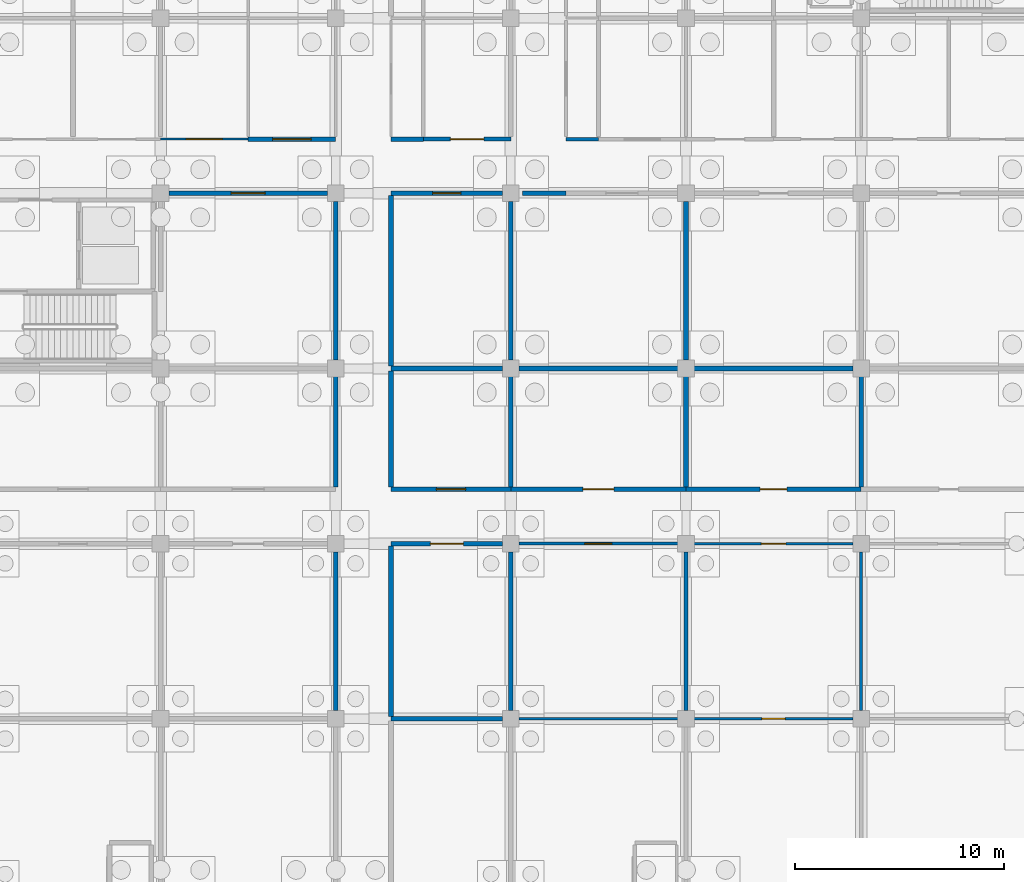
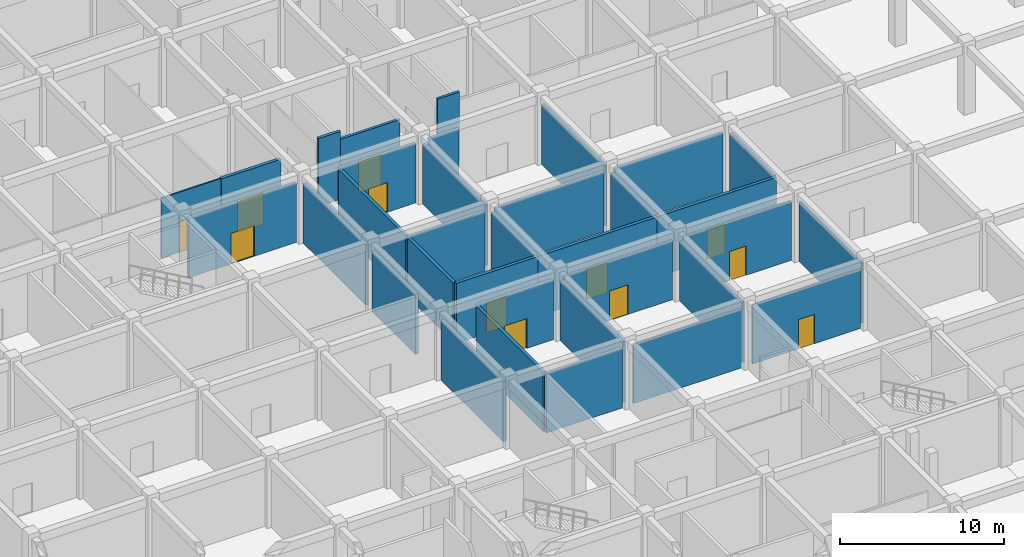
# One storey, part 31 of 65: 34 walls, 12 doors, 12 openings.
"""IFC4 building model written with IfcOpenShell, lengths in metres."""

from ifc_helpers import new_model, si_unit, direction, frame, frame_2d, origin, place, context, subcontext, project, spatial, rectangle, extrude, material, layer, layer_set, type_object, element, fill, save


model = new_model("IFC4")

# Units and contexts
model_context = context("Model", 3, precision=1e-05, world=origin(), true_north=direction((0.0, 1.0)))
body_context = subcontext(model_context, "Body", "Model", "MODEL_VIEW")
ifc_project = project(units=[si_unit("LENGTHUNIT", "METRE"), si_unit("AREAUNIT", "SQUARE_METRE"), si_unit("VOLUMEUNIT", "CUBIC_METRE"), si_unit("PLANEANGLEUNIT", "RADIAN"), si_unit("MASSUNIT", "GRAM", prefix="KILO")], contexts=[model_context])

# Site, building, storey
site_placement = place(None, origin())
site = spatial("IfcSite", under=ifc_project, at=site_placement, CompositionType="ELEMENT")
building_placement = place(site_placement, origin())
building = spatial("IfcBuilding", under=site, at=building_placement, Name="Bramfleet General Hospital", CompositionType="ELEMENT")
storey_placement = place(building_placement, frame((0.0, 0.0, -5.39990234375)))
storey = spatial("IfcBuildingStorey", under=building, at=storey_placement, Name="B1", CompositionType="ELEMENT", Elevation=-5.39990234375)

# Wall
ifc_material_1 = material(Name="Concrete C35/45", Category="concrete")
ifc_layer_1 = layer(ifc_material_1, 0.219970703125, Name="WT-IW-01")
ifc_layer_set_1 = layer_set([ifc_layer_1], Name="Concrete C35/45")
wall_type_1 = type_object("IfcWallType", Name="WT-IW-01", PredefinedType="PARTITIONING", material=ifc_layer_set_1)
wall_1_placement = place(storey_placement, frame((36.25, 33.60009765625, 0.0), z_axis=(0.0, 0.0, 1.0), x_axis=(1.0, 0.0, 0.0)))
element("IfcWall", 1, at=wall_1_placement, inside=storey, type_object=wall_type_1, Name="B1 Interior Partition IW-B1-0117", PredefinedType="PARTITIONING", context=body_context, shape_type="SweptSolid", body=[
    extrude(rectangle(XDim=5.35498046875, YDim=0.219970703125, at=frame_2d((2.677490234375, 0.0))), origin(), (0.0, 0.0, 1.0), 4.419921875),
])

# Wall, opening, door
wall_2_placement = place(storey_placement, frame((36.25, 42.0, 0.0), z_axis=(0.0, 0.0, 1.0), x_axis=(1.0, 0.0, 0.0)))
wall_2 = element("IfcWall", 2, at=wall_2_placement, inside=storey, type_object=wall_type_1, Name="B1 Interior Partition IW-B1-0127", PredefinedType="PARTITIONING", context=body_context, shape_type="SweptSolid", body=[
    extrude(rectangle(XDim=5.35498046875, YDim=0.219970703125, at=frame_2d((2.677490234375, 0.0))), origin(), (0.0, 0.0, 1.0), 4.419921875),
])
opening_1_placement = place(wall_2_placement, frame((1.887451171875, 0.0, 0.0)))
opening_1 = element("IfcOpeningElement", 3, at=opening_1_placement, cuts=wall_2, Name="Opening D0256", PredefinedType="OPENING", context=body_context, shape_type="SweptSolid", body=[
    extrude(rectangle(XDim=1.580078125, YDim=2.219970703125, at=frame_2d((0.7900390625, 1.10986328125))), frame((0.0, 0.119873046875, 0.0), z_axis=(0.0, -1.0, 0.0), x_axis=(1.0, 0.0, 0.0)), (0.0, 0.0, 1.0), 0.239990234375),
])
ifc_material_2 = material(Name="Stainless steel and acoustic timber leaf", Category="steel")
door_type_1 = type_object("IfcDoorType", Name="DR-D-32", OperationType="NOTDEFINED", PredefinedType="DOOR", material=ifc_material_2)
door_1_placement = place(opening_1_placement, origin())
door_1 = element("IfcDoor", 4, at=door_1_placement, inside=storey, type_object=door_type_1, Name="Standby Power Plant and Switchgear B1-0404 Door D0256", OperationType="DOUBLE_SWING_LEFT", OverallHeight=2.219970703125, OverallWidth=1.580078125, PredefinedType="DOOR", context=body_context, shape_type="SweptSolid", body=[
    extrude(rectangle(XDim=1.580078125, YDim=2.219970703125, at=frame_2d((0.7900390625, 1.10986328125))), frame((0.0, 0.02490234375, 0.0), z_axis=(0.0, -1.0, 0.0), x_axis=(1.0, 0.0, 0.0)), (0.0, 0.0, 1.0), 0.050048828125),
])
fill(opening_1, door_1)

wall_3_placement = place(storey_placement, frame((36.25, 44.60009765625, 0.0), z_axis=(0.0, 0.0, 1.0), x_axis=(1.0, 0.0, 0.0)))
wall_3 = element("IfcWall", 5, at=wall_3_placement, inside=storey, type_object=wall_type_1, Name="B1 Interior Partition IW-B1-0137", PredefinedType="PARTITIONING", context=body_context, shape_type="SweptSolid", body=[
    extrude(rectangle(XDim=5.75, YDim=0.219970703125, at=frame_2d((2.875, 0.0))), origin(), (0.0, 0.0, 1.0), 4.469970703125),
])
opening_2_placement = place(wall_3_placement, frame((2.175048828125, 0.0, 0.0)))
opening_2 = element("IfcOpeningElement", 6, at=opening_2_placement, cuts=wall_3, Name="Opening D0257", PredefinedType="OPENING", context=body_context, shape_type="SweptSolid", body=[
    extrude(rectangle(XDim=1.39990234375, YDim=2.199951171875, at=frame_2d((0.699951171875, 1.10009765625))), frame((0.0, 0.119873046875, 0.0), z_axis=(0.0, -1.0, 0.0), x_axis=(1.0, 0.0, 0.0)), (0.0, 0.0, 1.0), 0.239990234375),
])
door_type_2 = type_object("IfcDoorType", Name="DR-D-01", OperationType="NOTDEFINED", PredefinedType="DOOR", material=ifc_material_2)
door_2_placement = place(opening_2_placement, origin())
door_2 = element("IfcDoor", 7, at=door_2_placement, inside=storey, type_object=door_type_2, Name="Central Sterile Supply Room B1-0405 Door D0257", OperationType="SINGLE_SWING_RIGHT", OverallHeight=2.199951171875, OverallWidth=1.39990234375, PredefinedType="DOOR", context=body_context, shape_type="SweptSolid", body=[
    extrude(rectangle(XDim=1.39990234375, YDim=2.199951171875, at=frame_2d((0.699951171875, 1.10009765625))), frame((0.0, 0.02490234375, 0.0), z_axis=(0.0, -1.0, 0.0), x_axis=(1.0, 0.0, 0.0)), (0.0, 0.0, 1.0), 0.050048828125),
])
fill(opening_2, door_2)

wall_4_placement = place(storey_placement, frame((42.0, 44.60009765625, 0.0), z_axis=(0.0, 0.0, 1.0), x_axis=(1.0, 0.0, 0.0)))
wall_4 = element("IfcWall", 8, at=wall_4_placement, inside=storey, type_object=wall_type_1, Name="B1 Interior Partition IW-B1-0138", PredefinedType="PARTITIONING", context=body_context, shape_type="SweptSolid", body=[
    extrude(rectangle(XDim=8.39990234375, YDim=0.219970703125, at=frame_2d((4.199951171875, 0.0))), origin(), (0.0, 0.0, 1.0), 4.469970703125),
])
opening_3_placement = place(wall_4_placement, frame((3.4599609375, 0.0, 0.0)))
opening_3 = element("IfcOpeningElement", 9, at=opening_3_placement, cuts=wall_4, Name="Opening D0272", PredefinedType="OPENING", context=body_context, shape_type="SweptSolid", body=[
    extrude(rectangle(XDim=1.47998046875, YDim=2.219970703125, at=frame_2d((0.739990234375, 1.10986328125))), frame((0.0, 0.119873046875, 0.0), z_axis=(0.0, -1.0, 0.0), x_axis=(1.0, 0.0, 0.0)), (0.0, 0.0, 1.0), 0.239990234375),
])
door_type_3 = type_object("IfcDoorType", Name="DR-D-16", OperationType="NOTDEFINED", PredefinedType="DOOR", material=ifc_material_2)
door_3_placement = place(opening_3_placement, origin())
door_3 = element("IfcDoor", 10, at=door_3_placement, inside=storey, type_object=door_type_3, Name="Central Sterile Supply Room B1-0505 Door D0272", OperationType="SINGLE_SWING_LEFT", OverallHeight=2.219970703125, OverallWidth=1.47998046875, PredefinedType="DOOR", context=body_context, shape_type="SweptSolid", body=[
    extrude(rectangle(XDim=1.47998046875, YDim=2.219970703125, at=frame_2d((0.739990234375, 1.10986328125))), frame((0.0, 0.02490234375, 0.0), z_axis=(0.0, -1.0, 0.0), x_axis=(1.0, 0.0, 0.0)), (0.0, 0.0, 1.0), 0.050048828125),
])
fill(opening_3, door_3)

wall_5_placement = place(storey_placement, frame((50.39990234375, 44.60009765625, 0.0), z_axis=(0.0, 0.0, 1.0), x_axis=(1.0, 0.0, 0.0)))
wall_5 = element("IfcWall", 11, at=wall_5_placement, inside=storey, type_object=wall_type_1, Name="B1 Interior Partition IW-B1-0139", PredefinedType="PARTITIONING", context=body_context, shape_type="SweptSolid", body=[
    extrude(rectangle(XDim=8.400146484375, YDim=0.219970703125, at=frame_2d((4.2001953125, 0.0))), origin(), (0.0, 0.0, 1.0), 4.469970703125),
])
opening_4_placement = place(wall_5_placement, frame((3.56005859375, 0.0, 0.0)))
opening_4 = element("IfcOpeningElement", 12, at=opening_4_placement, cuts=wall_5, Name="Opening D0285", PredefinedType="OPENING", context=body_context, shape_type="SweptSolid", body=[
    extrude(rectangle(XDim=1.280029296875, YDim=2.179931640625, at=frame_2d((0.64013671875, 1.08984375))), frame((0.0, 0.119873046875, 0.0), z_axis=(0.0, -1.0, 0.0), x_axis=(1.0, 0.0, 0.0)), (0.0, 0.0, 1.0), 0.239990234375),
])
door_type_4 = type_object("IfcDoorType", Name="DR-D-29", OperationType="NOTDEFINED", PredefinedType="DOOR", material=ifc_material_2)
door_4_placement = place(opening_4_placement, origin())
door_4 = element("IfcDoor", 13, at=door_4_placement, inside=storey, type_object=door_type_4, Name="Central Sterile Supply Room B1-0605 Door D0285", OperationType="SINGLE_SWING_RIGHT", OverallHeight=2.179931640625, OverallWidth=1.280029296875, PredefinedType="DOOR", context=body_context, shape_type="SweptSolid", body=[
    extrude(rectangle(XDim=1.280029296875, YDim=2.179931640625, at=frame_2d((0.64013671875, 1.08984375))), frame((0.0, 0.02490234375, 0.0), z_axis=(0.0, -1.0, 0.0), x_axis=(1.0, 0.0, 0.0)), (0.0, 0.0, 1.0), 0.050048828125),
])
fill(opening_4, door_4)

# Walls
wall_6_placement = place(storey_placement, frame((36.25, 50.39990234375, 0.0), z_axis=(0.0, 0.0, 1.0), x_axis=(1.0, 0.0, 0.0)))
element("IfcWall", 14, at=wall_6_placement, inside=storey, type_object=wall_type_1, Name="B1 Interior Partition IW-B1-0146", PredefinedType="PARTITIONING", context=body_context, shape_type="SweptSolid", body=[
    extrude(rectangle(XDim=5.35498046875, YDim=0.219970703125, at=frame_2d((2.677490234375, 0.0))), origin(), (0.0, 0.0, 1.0), 4.419921875),
])
wall_7_placement = place(storey_placement, frame((42.39501953125, 50.39990234375, 0.0), z_axis=(0.0, 0.0, 1.0), x_axis=(1.0, 0.0, 0.0)))
element("IfcWall", 15, at=wall_7_placement, inside=storey, type_object=wall_type_1, Name="B1 Interior Partition IW-B1-0147", PredefinedType="PARTITIONING", context=body_context, shape_type="SweptSolid", body=[
    extrude(rectangle(XDim=7.60986328125, YDim=0.219970703125, at=frame_2d((3.804931640625, 0.0))), origin(), (0.0, 0.0, 1.0), 4.419921875),
])
wall_8_placement = place(storey_placement, frame((50.794921875, 50.39990234375, 0.0), z_axis=(0.0, 0.0, 1.0), x_axis=(1.0, 0.0, 0.0)))
element("IfcWall", 16, at=wall_8_placement, inside=storey, type_object=wall_type_1, Name="B1 Interior Partition IW-B1-0148", PredefinedType="PARTITIONING", context=body_context, shape_type="SweptSolid", body=[
    extrude(rectangle(XDim=7.610107421875, YDim=0.219970703125, at=frame_2d((3.80517578125, 0.0))), origin(), (0.0, 0.0, 1.0), 4.419921875),
])

# Wall, opening, door
wall_9_placement = place(storey_placement, frame((25.594970703125, 58.800048828125, 0.0), z_axis=(0.0, 0.0, 1.0), x_axis=(1.0, 0.0, 0.0)))
wall_9 = element("IfcWall", 17, at=wall_9_placement, inside=storey, type_object=wall_type_1, Name="B1 Interior Partition IW-B1-0154", PredefinedType="PARTITIONING", context=body_context, shape_type="SweptSolid", body=[
    extrude(rectangle(XDim=7.610107421875, YDim=0.219970703125, at=frame_2d((3.80517578125, 0.0))), origin(), (0.0, 0.0, 1.0), 4.419921875),
])
opening_5_placement = place(wall_9_placement, frame((2.985107421875, 0.0, 0.0)))
opening_5 = element("IfcOpeningElement", 18, at=opening_5_placement, cuts=wall_9, Name="Opening D0242", PredefinedType="OPENING", context=body_context, shape_type="SweptSolid", body=[
    extrude(rectangle(XDim=1.639892578125, YDim=2.280029296875, at=frame_2d((0.81982421875, 1.14013671875))), frame((0.0, 0.119873046875, 0.0), z_axis=(0.0, -1.0, 0.0), x_axis=(1.0, 0.0, 0.0)), (0.0, 0.0, 1.0), 0.239990234375),
])
door_type_5 = type_object("IfcDoorType", Name="DR-D-18", OperationType="NOTDEFINED", PredefinedType="DOOR", material=ifc_material_2)
door_5_placement = place(opening_5_placement, origin())
door_5 = element("IfcDoor", 19, at=door_5_placement, inside=storey, type_object=door_type_5, Name="Central Sterile Supply Room B1-0306 Door D0242", OperationType="DOUBLE_SWING_LEFT", OverallHeight=2.280029296875, OverallWidth=1.639892578125, PredefinedType="DOOR", context=body_context, shape_type="SweptSolid", body=[
    extrude(rectangle(XDim=1.639892578125, YDim=2.280029296875, at=frame_2d((0.81982421875, 1.14013671875))), frame((0.0, 0.02490234375, 0.0), z_axis=(0.0, -1.0, 0.0), x_axis=(1.0, 0.0, 0.0)), (0.0, 0.0, 1.0), 0.050048828125),
])
fill(opening_5, door_5)

wall_10_placement = place(storey_placement, frame((36.25, 58.800048828125, 0.0), z_axis=(0.0, 0.0, 1.0), x_axis=(1.0, 0.0, 0.0)))
wall_10 = element("IfcWall", 20, at=wall_10_placement, inside=storey, type_object=wall_type_1, Name="B1 Interior Partition IW-B1-0155", PredefinedType="PARTITIONING", context=body_context, shape_type="SweptSolid", body=[
    extrude(rectangle(XDim=5.35498046875, YDim=0.219970703125, at=frame_2d((2.677490234375, 0.0))), origin(), (0.0, 0.0, 1.0), 4.419921875),
])
opening_6_placement = place(wall_10_placement, frame((2.00244140625, 0.0, 0.0)))
opening_6 = element("IfcOpeningElement", 21, at=opening_6_placement, cuts=wall_10, Name="Opening D0258", PredefinedType="OPENING", context=body_context, shape_type="SweptSolid", body=[
    extrude(rectangle(XDim=1.35009765625, YDim=2.199951171875, at=frame_2d((0.675048828125, 1.10009765625))), frame((0.0, 0.119873046875, 0.0), z_axis=(0.0, -1.0, 0.0), x_axis=(1.0, 0.0, 0.0)), (0.0, 0.0, 1.0), 0.239990234375),
])
door_type_6 = type_object("IfcDoorType", Name="DR-D-02", OperationType="NOTDEFINED", PredefinedType="DOOR", material=ifc_material_2)
door_6_placement = place(opening_6_placement, origin())
door_6 = element("IfcDoor", 22, at=door_6_placement, inside=storey, type_object=door_type_6, Name="Central Sterile Supply Room B1-0406 Door D0258", OperationType="SINGLE_SWING_LEFT", OverallHeight=2.199951171875, OverallWidth=1.35009765625, PredefinedType="DOOR", context=body_context, shape_type="SweptSolid", body=[
    extrude(rectangle(XDim=1.35009765625, YDim=2.199951171875, at=frame_2d((0.675048828125, 1.10009765625))), frame((0.0, 0.02490234375, 0.0), z_axis=(0.0, -1.0, 0.0), x_axis=(1.0, 0.0, 0.0)), (0.0, 0.0, 1.0), 0.050048828125),
])
fill(opening_6, door_6)

# Wall
wall_11_placement = place(storey_placement, frame((42.550048828125, 58.800048828125, 0.0), z_axis=(0.0, 0.0, 1.0), x_axis=(1.0, 0.0, 0.0)))
element("IfcWall", 23, at=wall_11_placement, inside=storey, type_object=wall_type_1, Name="B1 Interior Partition IW-B1-0156", PredefinedType="PARTITIONING", context=body_context, shape_type="SweptSolid", body=[
    extrude(rectangle(XDim=2.099853515625, YDim=0.219970703125, at=frame_2d((1.0498046875, 0.0))), origin(), (0.0, 0.0, 1.0), 4.419921875),
])

# Wall, opening, door
wall_12_placement = place(storey_placement, frame((29.39990234375, 61.39990234375, 0.0), z_axis=(0.0, 0.0, 1.0), x_axis=(1.0, 0.0, 0.0)))
wall_12 = element("IfcWall", 24, at=wall_12_placement, inside=storey, type_object=wall_type_1, Name="B1 Interior Partition IW-B1-0169", PredefinedType="PARTITIONING", context=body_context, shape_type="SweptSolid", body=[
    extrude(rectangle(XDim=4.2001953125, YDim=0.219970703125, at=frame_2d((2.10009765625, 0.0))), origin(), (0.0, 0.0, 1.0), 4.469970703125),
])
opening_7_placement = place(wall_12_placement, frame((1.179931640625, 0.0, 0.0)))
opening_7 = element("IfcOpeningElement", 25, at=opening_7_placement, cuts=wall_12, Name="Opening D0244", PredefinedType="OPENING", context=body_context, shape_type="SweptSolid", body=[
    extrude(rectangle(XDim=1.840087890625, YDim=2.280029296875, at=frame_2d((0.919921875, 1.14013671875))), frame((0.0, 0.119873046875, 0.0), z_axis=(0.0, -1.0, 0.0), x_axis=(1.0, 0.0, 0.0)), (0.0, 0.0, 1.0), 0.239990234375),
])
door_type_7 = type_object("IfcDoorType", Name="DR-D-20", OperationType="NOTDEFINED", PredefinedType="DOOR", material=ifc_material_2)
door_7_placement = place(opening_7_placement, origin())
door_7 = element("IfcDoor", 26, at=door_7_placement, inside=storey, type_object=door_type_7, Name="Clinical Engineering Workshop B1-0307 Door D0244", OperationType="DOUBLE_SWING_LEFT", OverallHeight=2.280029296875, OverallWidth=1.840087890625, PredefinedType="DOOR", context=body_context, shape_type="SweptSolid", body=[
    extrude(rectangle(XDim=1.840087890625, YDim=2.280029296875, at=frame_2d((0.919921875, 1.14013671875))), frame((0.0, 0.02490234375, 0.0), z_axis=(0.0, -1.0, 0.0), x_axis=(1.0, 0.0, 0.0)), (0.0, 0.0, 1.0), 0.050048828125),
])
fill(opening_7, door_7)

# Walls
wall_13_placement = place(storey_placement, frame((33.60009765625, 33.9951171875, 0.0), z_axis=(0.0, 0.0, 1.0), x_axis=(0.0, 1.0, 0.0)))
element("IfcWall", 27, at=wall_13_placement, inside=storey, type_object=wall_type_1, Name="B1 Interior Partition IW-B1-0390", PredefinedType="PARTITIONING", context=body_context, shape_type="SweptSolid", body=[
    extrude(rectangle(XDim=7.60986328125, YDim=0.219970703125, at=frame_2d((3.804931640625, 0.0))), origin(), (0.0, 0.0, 1.0), 4.469970703125),
])
wall_14_placement = place(storey_placement, frame((33.60009765625, 44.715087890625, 0.0), z_axis=(0.0, 0.0, 1.0), x_axis=(0.0, 1.0, 0.0)))
element("IfcWall", 28, at=wall_14_placement, inside=storey, type_object=wall_type_1, Name="B1 Interior Partition IW-B1-0391", PredefinedType="PARTITIONING", context=body_context, shape_type="SweptSolid", body=[
    extrude(rectangle(XDim=5.289794921875, YDim=0.219970703125, at=frame_2d((2.64501953125, 0.0))), origin(), (0.0, 0.0, 1.0), 4.469970703125),
])
wall_15_placement = place(storey_placement, frame((33.60009765625, 50.794921875, 0.0), z_axis=(0.0, 0.0, 1.0), x_axis=(0.0, 1.0, 0.0)))
element("IfcWall", 29, at=wall_15_placement, inside=storey, type_object=wall_type_1, Name="B1 Interior Partition IW-B1-0392", PredefinedType="PARTITIONING", context=body_context, shape_type="SweptSolid", body=[
    extrude(rectangle(XDim=7.610107421875, YDim=0.219970703125, at=frame_2d((3.80517578125, 0.0))), origin(), (0.0, 0.0, 1.0), 4.469970703125),
])
wall_16_placement = place(storey_placement, frame((36.25, 33.715087890625, 0.0), z_axis=(0.0, 0.0, 1.0), x_axis=(0.0, 1.0, 0.0)))
element("IfcWall", 30, at=wall_16_placement, inside=storey, type_object=wall_type_1, Name="B1 Interior Partition IW-B1-0405", PredefinedType="PARTITIONING", context=body_context, shape_type="SweptSolid", body=[
    extrude(rectangle(XDim=8.169921875, YDim=0.219970703125, at=frame_2d((4.0849609375, 0.0))), origin(), (0.0, 0.0, 1.0), 4.419921875),
])
wall_17_placement = place(storey_placement, frame((36.25, 44.715087890625, 0.0), z_axis=(0.0, 0.0, 1.0), x_axis=(0.0, 1.0, 0.0)))
element("IfcWall", 31, at=wall_17_placement, inside=storey, type_object=wall_type_1, Name="B1 Interior Partition IW-B1-0406", PredefinedType="PARTITIONING", context=body_context, shape_type="SweptSolid", body=[
    extrude(rectangle(XDim=5.56982421875, YDim=0.219970703125, at=frame_2d((2.784912109375, 0.0))), origin(), (0.0, 0.0, 1.0), 4.419921875),
])
wall_18_placement = place(storey_placement, frame((36.25, 50.514892578125, 0.0), z_axis=(0.0, 0.0, 1.0), x_axis=(0.0, 1.0, 0.0)))
element("IfcWall", 32, at=wall_18_placement, inside=storey, type_object=wall_type_1, Name="B1 Interior Partition IW-B1-0407", PredefinedType="PARTITIONING", context=body_context, shape_type="SweptSolid", body=[
    extrude(rectangle(XDim=8.170166015625, YDim=0.219970703125, at=frame_2d((4.0849609375, 0.0))), origin(), (0.0, 0.0, 1.0), 4.419921875),
])
wall_19_placement = place(storey_placement, frame((42.0, 33.9951171875, 0.0), z_axis=(0.0, 0.0, 1.0), x_axis=(0.0, 1.0, 0.0)))
element("IfcWall", 33, at=wall_19_placement, inside=storey, type_object=wall_type_1, Name="B1 Interior Partition IW-B1-0419", PredefinedType="PARTITIONING", context=body_context, shape_type="SweptSolid", body=[
    extrude(rectangle(XDim=7.60986328125, YDim=0.219970703125, at=frame_2d((3.804931640625, 0.0))), origin(), (0.0, 0.0, 1.0), 4.469970703125),
])
wall_20_placement = place(storey_placement, frame((42.0, 44.715087890625, 0.0), z_axis=(0.0, 0.0, 1.0), x_axis=(0.0, 1.0, 0.0)))
element("IfcWall", 34, at=wall_20_placement, inside=storey, type_object=wall_type_1, Name="B1 Interior Partition IW-B1-0420", PredefinedType="PARTITIONING", context=body_context, shape_type="SweptSolid", body=[
    extrude(rectangle(XDim=5.289794921875, YDim=0.219970703125, at=frame_2d((2.64501953125, 0.0))), origin(), (0.0, 0.0, 1.0), 4.469970703125),
])
wall_21_placement = place(storey_placement, frame((42.0, 50.794921875, 0.0), z_axis=(0.0, 0.0, 1.0), x_axis=(0.0, 1.0, 0.0)))
element("IfcWall", 35, at=wall_21_placement, inside=storey, type_object=wall_type_1, Name="B1 Interior Partition IW-B1-0421", PredefinedType="PARTITIONING", context=body_context, shape_type="SweptSolid", body=[
    extrude(rectangle(XDim=7.610107421875, YDim=0.219970703125, at=frame_2d((3.80517578125, 0.0))), origin(), (0.0, 0.0, 1.0), 4.469970703125),
])
wall_22_placement = place(storey_placement, frame((50.39990234375, 44.715087890625, 0.0), z_axis=(0.0, 0.0, 1.0), x_axis=(0.0, 1.0, 0.0)))
element("IfcWall", 36, at=wall_22_placement, inside=storey, type_object=wall_type_1, Name="B1 Interior Partition IW-B1-0448", PredefinedType="PARTITIONING", context=body_context, shape_type="SweptSolid", body=[
    extrude(rectangle(XDim=5.289794921875, YDim=0.219970703125, at=frame_2d((2.64501953125, 0.0))), origin(), (0.0, 0.0, 1.0), 4.469970703125),
])
wall_23_placement = place(storey_placement, frame((50.39990234375, 50.794921875, 0.0), z_axis=(0.0, 0.0, 1.0), x_axis=(0.0, 1.0, 0.0)))
element("IfcWall", 37, at=wall_23_placement, inside=storey, type_object=wall_type_1, Name="B1 Interior Partition IW-B1-0449", PredefinedType="PARTITIONING", context=body_context, shape_type="SweptSolid", body=[
    extrude(rectangle(XDim=7.610107421875, YDim=0.219970703125, at=frame_2d((3.80517578125, 0.0))), origin(), (0.0, 0.0, 1.0), 4.469970703125),
])
wall_24_placement = place(storey_placement, frame((58.800048828125, 44.715087890625, 0.0), z_axis=(0.0, 0.0, 1.0), x_axis=(0.0, 1.0, 0.0)))
element("IfcWall", 38, at=wall_24_placement, inside=storey, type_object=wall_type_1, Name="B1 Interior Partition IW-B1-0464", PredefinedType="PARTITIONING", context=body_context, shape_type="SweptSolid", body=[
    extrude(rectangle(XDim=5.289794921875, YDim=0.219970703125, at=frame_2d((2.64501953125, 0.0))), origin(), (0.0, 0.0, 1.0), 4.469970703125),
])
ifc_layer_2 = layer(ifc_material_1, 0.205078125, Name="WT-IW-02")
ifc_layer_set_2 = layer_set([ifc_layer_2], Name="Concrete C35/45")
wall_type_2 = type_object("IfcWallType", Name="WT-IW-02", PredefinedType="PARTITIONING", material=ifc_layer_set_2)
wall_25_placement = place(storey_placement, frame((36.25, 61.39990234375, 0.0), z_axis=(0.0, 0.0, 1.0), x_axis=(1.0, 0.0, 0.0)))
element("IfcWall", 39, at=wall_25_placement, inside=storey, type_object=wall_type_2, Name="B1 Interior Partition IW-B1-0170", PredefinedType="PARTITIONING", context=body_context, shape_type="SweptSolid", body=[
    extrude(rectangle(XDim=1.550048828125, YDim=0.205078125, at=frame_2d((0.77490234375, 0.0))), origin(), (0.0, 0.0, 1.0), 5.06982421875),
])

# Wall, opening, door
ifc_layer_3 = layer(ifc_material_1, 0.18994140625, Name="WT-IW-03")
ifc_layer_set_3 = layer_set([ifc_layer_3], Name="Concrete C35/45")
wall_type_3 = type_object("IfcWallType", Name="WT-IW-03", PredefinedType="PARTITIONING", material=ifc_layer_set_3)
wall_26_placement = place(storey_placement, frame((37.800048828125, 61.39990234375, 0.0), z_axis=(0.0, 0.0, 1.0), x_axis=(1.0, 0.0, 0.0)))
wall_26 = element("IfcWall", 40, at=wall_26_placement, inside=storey, type_object=wall_type_3, Name="B1 Interior Partition IW-B1-0171", PredefinedType="PARTITIONING", context=body_context, shape_type="SweptSolid", body=[
    extrude(rectangle(XDim=4.199951171875, YDim=0.18994140625, at=frame_2d((2.10009765625, 0.0))), origin(), (0.0, 0.0, 1.0), 4.469970703125),
])
opening_8_placement = place(wall_26_placement, frame((1.300048828125, 0.0, 0.0)))
opening_8 = element("IfcOpeningElement", 41, at=opening_8_placement, cuts=wall_26, Name="Opening D0260", PredefinedType="OPENING", context=body_context, shape_type="SweptSolid", body=[
    extrude(rectangle(XDim=1.60009765625, YDim=2.25, at=frame_2d((0.800048828125, 1.125))), frame((0.0, 0.10498046875, 0.0), z_axis=(0.0, -1.0, 0.0), x_axis=(1.0, 0.0, 0.0)), (0.0, 0.0, 1.0), 0.2099609375),
])
door_type_8 = type_object("IfcDoorType", Name="DR-D-04", OperationType="NOTDEFINED", PredefinedType="DOOR", material=ifc_material_2)
door_8_placement = place(opening_8_placement, origin())
door_8 = element("IfcDoor", 42, at=door_8_placement, inside=storey, type_object=door_type_8, Name="Clinical Engineering Workshop B1-0407 Door D0260", OperationType="DOUBLE_SWING_LEFT", OverallHeight=2.25, OverallWidth=1.60009765625, PredefinedType="DOOR", context=body_context, shape_type="SweptSolid", body=[
    extrude(rectangle(XDim=1.60009765625, YDim=2.25, at=frame_2d((0.800048828125, 1.125))), frame((0.0, 0.02490234375, 0.0), z_axis=(0.0, -1.0, 0.0), x_axis=(1.0, 0.0, 0.0)), (0.0, 0.0, 1.0), 0.050048828125),
])
fill(opening_8, door_8)

# Walls
wall_27_placement = place(storey_placement, frame((50.39990234375, 33.9951171875, 0.0), z_axis=(0.0, 0.0, 1.0), x_axis=(0.0, 1.0, 0.0)))
element("IfcWall", 43, at=wall_27_placement, inside=storey, type_object=wall_type_3, Name="B1 Interior Partition IW-B1-0447", PredefinedType="PARTITIONING", context=body_context, shape_type="SweptSolid", body=[
    extrude(rectangle(XDim=7.60986328125, YDim=0.18994140625, at=frame_2d((3.804931640625, 0.0))), origin(), (0.0, 0.0, 1.0), 4.469970703125),
])
ifc_layer_4 = layer(ifc_material_1, 0.179931640625, Name="WT-IW-04")
ifc_layer_set_4 = layer_set([ifc_layer_4], Name="Concrete C35/45")
wall_type_4 = type_object("IfcWallType", Name="WT-IW-04", PredefinedType="PARTITIONING", material=ifc_layer_set_4)
wall_28_placement = place(storey_placement, frame((44.64990234375, 61.39990234375, 0.0), z_axis=(0.0, 0.0, 1.0), x_axis=(1.0, 0.0, 0.0)))
element("IfcWall", 44, at=wall_28_placement, inside=storey, type_object=wall_type_4, Name="B1 Interior Partition IW-B1-0172", PredefinedType="PARTITIONING", context=body_context, shape_type="SweptSolid", body=[
    extrude(rectangle(XDim=1.550048828125, YDim=0.179931640625, at=frame_2d((0.77490234375, 0.0))), origin(), (0.0, 0.0, 1.0), 5.06982421875),
])
ifc_material_3 = material(Name="Gypsum plasterboard on acoustic steel studs", Category="steel")
ifc_layer_5 = layer(ifc_material_3, 0.14990234375, Name="WT-IW-07")
ifc_layer_set_5 = layer_set([ifc_layer_5], Name="Gypsum plasterboard on acoustic steel studs")
wall_type_5 = type_object("IfcWallType", Name="WT-IW-07", PredefinedType="PARTITIONING", material=ifc_layer_set_5)
wall_29_placement = place(storey_placement, frame((58.800048828125, 33.9951171875, 0.0), z_axis=(0.0, 0.0, 1.0), x_axis=(0.0, 1.0, 0.0)))
element("IfcWall", 45, at=wall_29_placement, inside=storey, type_object=wall_type_5, Name="B1 Interior Partition IW-B1-0463", PredefinedType="PARTITIONING", context=body_context, shape_type="SweptSolid", body=[
    extrude(rectangle(XDim=7.60986328125, YDim=0.14990234375, at=frame_2d((3.804931640625, 0.0))), origin(), (0.0, 0.0, 1.0), 4.469970703125),
])

# Wall, opening, door
ifc_layer_6 = layer(ifc_material_3, 0.139892578125, Name="WT-IW-08")
ifc_layer_set_6 = layer_set([ifc_layer_6], Name="Gypsum plasterboard on acoustic steel studs")
wall_type_6 = type_object("IfcWallType", Name="WT-IW-08", PredefinedType="PARTITIONING", material=ifc_layer_set_6)
wall_30_placement = place(storey_placement, frame((42.39501953125, 42.0, 0.0), z_axis=(0.0, 0.0, 1.0), x_axis=(1.0, 0.0, 0.0)))
wall_30 = element("IfcWall", 46, at=wall_30_placement, inside=storey, type_object=wall_type_6, Name="B1 Interior Partition IW-B1-0128", PredefinedType="PARTITIONING", context=body_context, shape_type="SweptSolid", body=[
    extrude(rectangle(XDim=7.60986328125, YDim=0.139892578125, at=frame_2d((3.804931640625, 0.0))), origin(), (0.0, 0.0, 1.0), 4.419921875),
])
opening_9_placement = place(wall_30_placement, frame((3.155029296875, 0.0, 0.0)))
opening_9 = element("IfcOpeningElement", 47, at=opening_9_placement, cuts=wall_30, Name="Opening D0271", PredefinedType="OPENING", context=body_context, shape_type="SweptSolid", body=[
    extrude(rectangle(XDim=1.300048828125, YDim=2.199951171875, at=frame_2d((0.64990234375, 1.10009765625))), frame((0.0, 0.079833984375, 0.0), z_axis=(0.0, -1.0, 0.0), x_axis=(1.0, 0.0, 0.0)), (0.0, 0.0, 1.0), 0.159912109375),
])
door_type_9 = type_object("IfcDoorType", Name="DR-D-15", OperationType="NOTDEFINED", PredefinedType="DOOR", material=ifc_material_2)
door_9_placement = place(opening_9_placement, origin())
door_9 = element("IfcDoor", 48, at=door_9_placement, inside=storey, type_object=door_type_9, Name="Hospital Pharmacy Clean Preparation B1-0504 Door D0271", OperationType="SINGLE_SWING_RIGHT", OverallHeight=2.199951171875, OverallWidth=1.300048828125, PredefinedType="DOOR", context=body_context, shape_type="SweptSolid", body=[
    extrude(rectangle(XDim=1.300048828125, YDim=2.199951171875, at=frame_2d((0.64990234375, 1.10009765625))), frame((0.0, 0.02490234375, 0.0), z_axis=(0.0, -1.0, 0.0), x_axis=(1.0, 0.0, 0.0)), (0.0, 0.0, 1.0), 0.050048828125),
])
fill(opening_9, door_9)

ifc_layer_7 = layer(ifc_material_3, 0.1298828125, Name="WT-IW-09")
ifc_layer_set_7 = layer_set([ifc_layer_7], Name="Gypsum plasterboard on acoustic steel studs")
wall_type_7 = type_object("IfcWallType", Name="WT-IW-09", PredefinedType="PARTITIONING", material=ifc_layer_set_7)
wall_31_placement = place(storey_placement, frame((50.794921875, 42.0, 0.0), z_axis=(0.0, 0.0, 1.0), x_axis=(1.0, 0.0, 0.0)))
wall_31 = element("IfcWall", 49, at=wall_31_placement, inside=storey, type_object=wall_type_7, Name="B1 Interior Partition IW-B1-0129", PredefinedType="PARTITIONING", context=body_context, shape_type="SweptSolid", body=[
    extrude(rectangle(XDim=7.610107421875, YDim=0.1298828125, at=frame_2d((3.80517578125, 0.0))), origin(), (0.0, 0.0, 1.0), 4.419921875),
])
opening_10_placement = place(wall_31_placement, frame((3.215087890625, 0.0, 0.0)))
opening_10 = element("IfcOpeningElement", 50, at=opening_10_placement, cuts=wall_31, Name="Opening D0284", PredefinedType="OPENING", context=body_context, shape_type="SweptSolid", body=[
    extrude(rectangle(XDim=1.179931640625, YDim=2.179931640625, at=frame_2d((0.58984375, 1.08984375))), frame((0.0, 0.074951171875, 0.0), z_axis=(0.0, -1.0, 0.0), x_axis=(1.0, 0.0, 0.0)), (0.0, 0.0, 1.0), 0.14990234375),
])
door_type_10 = type_object("IfcDoorType", Name="DR-D-28", OperationType="NOTDEFINED", PredefinedType="DOOR", material=ifc_material_2)
door_10_placement = place(opening_10_placement, origin())
door_10 = element("IfcDoor", 51, at=door_10_placement, inside=storey, type_object=door_type_10, Name="Hospital Pharmacy Clean Preparation B1-0604 Door D0284", OperationType="SINGLE_SWING_LEFT", OverallHeight=2.179931640625, OverallWidth=1.179931640625, PredefinedType="DOOR", context=body_context, shape_type="SweptSolid", body=[
    extrude(rectangle(XDim=1.179931640625, YDim=2.179931640625, at=frame_2d((0.58984375, 1.08984375))), frame((0.0, 0.02490234375, 0.0), z_axis=(0.0, -1.0, 0.0), x_axis=(1.0, 0.0, 0.0)), (0.0, 0.0, 1.0), 0.050048828125),
])
fill(opening_10, door_10)

# Wall
ifc_layer_8 = layer(ifc_material_3, 0.1201171875, Name="WT-IW-10")
ifc_layer_set_8 = layer_set([ifc_layer_8], Name="Gypsum plasterboard on acoustic steel studs")
wall_type_8 = type_object("IfcWallType", Name="WT-IW-10", PredefinedType="PARTITIONING", material=ifc_layer_set_8)
wall_32_placement = place(storey_placement, frame((42.39501953125, 33.60009765625, 0.0), z_axis=(0.0, 0.0, 1.0), x_axis=(1.0, 0.0, 0.0)))
element("IfcWall", 52, at=wall_32_placement, inside=storey, type_object=wall_type_8, Name="B1 Interior Partition IW-B1-0118", PredefinedType="PARTITIONING", context=body_context, shape_type="SweptSolid", body=[
    extrude(rectangle(XDim=7.60986328125, YDim=0.1201171875, at=frame_2d((3.804931640625, 0.0))), origin(), (0.0, 0.0, 1.0), 4.419921875),
])

# Wall, opening, door
ifc_layer_9 = layer(ifc_material_3, 0.112060546875, Name="WT-IW-11")
ifc_layer_set_9 = layer_set([ifc_layer_9], Name="Gypsum plasterboard on acoustic steel studs")
wall_type_9 = type_object("IfcWallType", Name="WT-IW-11", PredefinedType="PARTITIONING", material=ifc_layer_set_9)
wall_33_placement = place(storey_placement, frame((50.794921875, 33.60009765625, 0.0), z_axis=(0.0, 0.0, 1.0), x_axis=(1.0, 0.0, 0.0)))
wall_33 = element("IfcWall", 53, at=wall_33_placement, inside=storey, type_object=wall_type_9, Name="B1 Interior Partition IW-B1-0119", PredefinedType="PARTITIONING", context=body_context, shape_type="SweptSolid", body=[
    extrude(rectangle(XDim=7.610107421875, YDim=0.112060546875, at=frame_2d((3.80517578125, 0.0))), origin(), (0.0, 0.0, 1.0), 4.419921875),
])
opening_11_placement = place(wall_33_placement, frame((3.2451171875, 0.0, 0.0)))
opening_11 = element("IfcOpeningElement", 54, at=opening_11_placement, cuts=wall_33, Name="Opening D0283", PredefinedType="OPENING", context=body_context, shape_type="SweptSolid", body=[
    extrude(rectangle(XDim=1.1201171875, YDim=2.179931640625, at=frame_2d((0.56005859375, 1.08984375))), frame((0.0, 0.06591796875, 0.0), z_axis=(0.0, -1.0, 0.0), x_axis=(1.0, 0.0, 0.0)), (0.0, 0.0, 1.0), 0.132080078125),
])
door_type_11 = type_object("IfcDoorType", Name="DR-D-27", OperationType="NOTDEFINED", PredefinedType="DOOR", material=ifc_material_2)
door_11_placement = place(opening_11_placement, origin())
door_11 = element("IfcDoor", 55, at=door_11_placement, inside=storey, type_object=door_type_11, Name="Hospital Pharmacy Clean Preparation B1-0603 Door D0283", OperationType="SINGLE_SWING_RIGHT", OverallHeight=2.179931640625, OverallWidth=1.1201171875, PredefinedType="DOOR", context=body_context, shape_type="SweptSolid", body=[
    extrude(rectangle(XDim=1.1201171875, YDim=2.179931640625, at=frame_2d((0.56005859375, 1.08984375))), frame((0.0, 0.02490234375, 0.0), z_axis=(0.0, -1.0, 0.0), x_axis=(1.0, 0.0, 0.0)), (0.0, 0.0, 1.0), 0.050048828125),
])
fill(opening_11, door_11)

ifc_layer_10 = layer(ifc_material_3, 0.10009765625, Name="WT-IW-12")
ifc_layer_set_10 = layer_set([ifc_layer_10], Name="Gypsum plasterboard on acoustic steel studs")
wall_type_10 = type_object("IfcWallType", Name="WT-IW-12", PredefinedType="PARTITIONING", material=ifc_layer_set_10)
wall_34_placement = place(storey_placement, frame((25.199951171875, 61.39990234375, 0.0), z_axis=(0.0, 0.0, 1.0), x_axis=(1.0, 0.0, 0.0)))
wall_34 = element("IfcWall", 56, at=wall_34_placement, inside=storey, type_object=wall_type_10, Name="B1 Interior Partition IW-B1-0168", PredefinedType="PARTITIONING", context=body_context, shape_type="SweptSolid", body=[
    extrude(rectangle(XDim=4.199951171875, YDim=0.10009765625, at=frame_2d((2.10009765625, 0.0))), origin(), (0.0, 0.0, 1.0), 4.469970703125),
])
opening_12_placement = place(wall_34_placement, frame((1.22998046875, 0.0, 0.0)))
opening_12 = element("IfcOpeningElement", 57, at=opening_12_placement, cuts=wall_34, Name="Opening D0243", PredefinedType="OPENING", context=body_context, shape_type="SweptSolid", body=[
    extrude(rectangle(XDim=1.739990234375, YDim=2.239990234375, at=frame_2d((0.8701171875, 1.1201171875))), frame((0.0, 0.06005859375, 0.0), z_axis=(0.0, -1.0, 0.0), x_axis=(1.0, 0.0, 0.0)), (0.0, 0.0, 1.0), 0.1201171875),
])
door_type_12 = type_object("IfcDoorType", Name="DR-D-19", OperationType="NOTDEFINED", PredefinedType="DOOR", material=ifc_material_2)
door_12_placement = place(opening_12_placement, origin())
door_12 = element("IfcDoor", 58, at=door_12_placement, inside=storey, type_object=door_type_12, Name="Clean Medical Supply Store B1-0307 Door D0243", OperationType="DOUBLE_SWING_RIGHT", OverallHeight=2.239990234375, OverallWidth=1.739990234375, PredefinedType="DOOR", context=body_context, shape_type="SweptSolid", body=[
    extrude(rectangle(XDim=1.739990234375, YDim=2.239990234375, at=frame_2d((0.8701171875, 1.1201171875))), frame((0.0, 0.02490234375, 0.0), z_axis=(0.0, -1.0, 0.0), x_axis=(1.0, 0.0, 0.0)), (0.0, 0.0, 1.0), 0.050048828125),
])
fill(opening_12, door_12)

save(model, "model.ifc")
